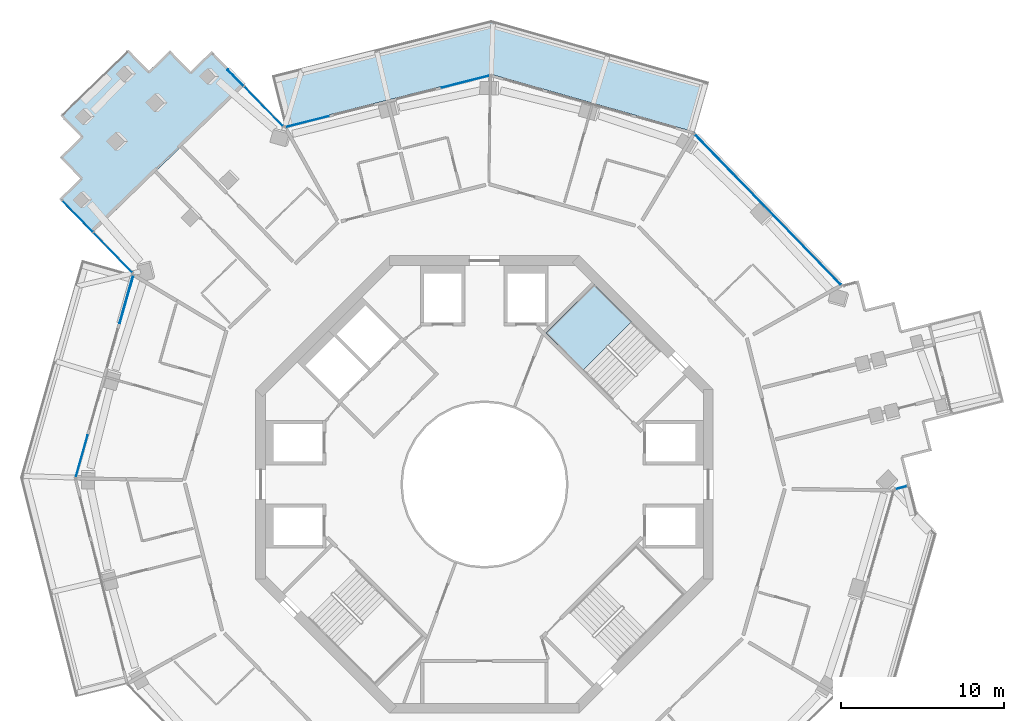
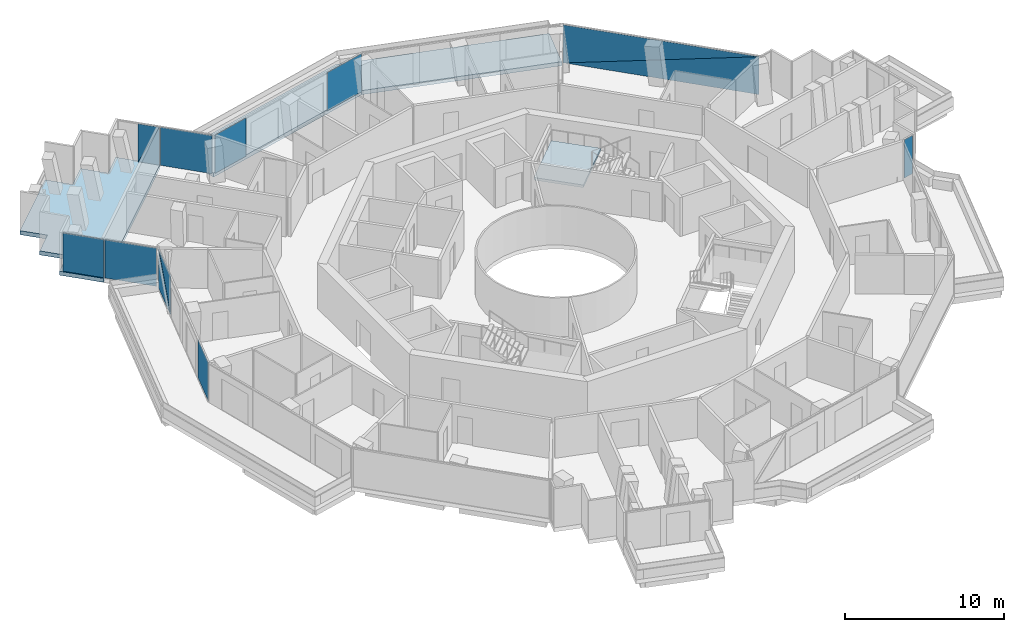
# One storey, part 14 of 24: 13 plates, 3 slabs, 7 elements without a shape of their own.
"""IFC4 building model written with IfcOpenShell, lengths in metres."""

from ifc_helpers import new_model, si_unit, direction, frame, origin, origin_2d, place, context, subcontext, project, spatial, polyline, rectangle, outline, extrude, material, layer, layer_set, type_object, element, aggregate, save


model = new_model("IFC4")

# Units and contexts
model_context = context("Model", 3, precision=1e-05, world=origin(), true_north=direction((0.0, 1.0)))
body_context = subcontext(model_context, "Body", "Model", "MODEL_VIEW")
ifc_project = project(units=[si_unit("LENGTHUNIT", "METRE"), si_unit("AREAUNIT", "SQUARE_METRE"), si_unit("VOLUMEUNIT", "CUBIC_METRE"), si_unit("PLANEANGLEUNIT", "RADIAN"), si_unit("MASSUNIT", "GRAM", prefix="KILO")], contexts=[model_context])

# Site, building, storey
site_placement = place(None, origin())
site = spatial("IfcSite", under=ifc_project, at=site_placement, CompositionType="ELEMENT")
building_placement = place(site_placement, origin())
building = spatial("IfcBuilding", under=site, at=building_placement, Name="Verdalira Terraces Hotel", CompositionType="ELEMENT")
storey_placement = place(building_placement, frame((0.0, 0.0, 212.5)))
storey = spatial("IfcBuildingStorey", under=building, at=storey_placement, Name="L52", CompositionType="ELEMENT", Elevation=212.5)

# Slab
ifc_material_1 = material(Name="Precast concrete C40/50", Category="concrete")
ifc_layer_1 = layer(ifc_material_1, 0.31005859375)
ifc_layer_set_1 = layer_set([ifc_layer_1], Name="Balcony deck 310")
slab_type_1 = type_object("IfcSlabType", Name="Balcony deck 310", PredefinedType="FLOOR", material=ifc_layer_set_1)
slab_1_placement = place(storey_placement, frame((0.0, 0.0, -0.310059)))
element("IfcSlab", 1, at=slab_1_placement, inside=storey, type_object=slab_type_1, Name="Balcony deck", PredefinedType="FLOOR", context=body_context, shape_type="SweptSolid", body=[
    extrude(outline(polyline([(-13.019531, 25.033936), (-12.236816, 21.931152), (0.368164, 25.111328), (12.874512, 21.562988), (13.748047, 24.641602), (0.416748, 28.423828), (-13.019531, 25.033936)])), origin(), (0.0, 0.0, 1.0), 0.310059),
])

# Curtain wall, plates
ifc_material_2 = material(Name="Clear glass", Category="glass")
ifc_layer_2 = layer(ifc_material_2, 0.14990234375)
ifc_layer_set_2 = layer_set([ifc_layer_2], Name="CW1 curtain wall")
curtain_wall_type_1 = type_object("IfcCurtainWallType", Name="CW1 curtain wall", PredefinedType="NOTDEFINED", material=ifc_layer_set_2)
curtain_wall_1_placement = place(storey_placement, origin())
curtain_wall_1 = element("IfcCurtainWall", 2, at=curtain_wall_1_placement, inside=storey, type_object=curtain_wall_type_1, Name="CW1 curtain wall L52 edge 11", PredefinedType="NOTDEFINED")
ifc_material_3 = material(Name="Clear glass", Category="glass")
ifc_layer_3 = layer(ifc_material_3, 0.028076171875)
ifc_layer_set_3 = layer_set([ifc_layer_3], Name="CW1 glass unit 28")
plate_type_1 = type_object("IfcPlateType", Name="CW1 glass unit 28", PredefinedType="CURTAIN_PANEL", material=ifc_layer_set_3)
plate_1_placement = place(storey_placement, frame((-21.908691, 11.330078, 1.467529), z_axis=(-0.962027672, 0.272951936, 0.0), x_axis=(-0.272951936, -0.962027672, 0.0)))
plate_1 = element("IfcPlate", 3, at=plate_1_placement, type_object=plate_type_1, Name="CW1 glass unit", PredefinedType="CURTAIN_PANEL", context=body_context, shape_type="SweptSolid", body=[
    extrude(outline(polyline([(-1.52002, -1.467529), (1.52002, -1.467529), (-1.52002, 1.467529), (-1.52002, -1.467529)])), origin(), (0.0, 0.0, 1.0), 0.028076),
])
plate_2_placement = place(storey_placement, frame((-21.880615, 11.322266, 1.467529), z_axis=(-0.962027672, 0.272951936, 0.0), x_axis=(-0.272951936, -0.962027672, 0.0)))
plate_2 = element("IfcPlate", 4, at=plate_2_placement, type_object=plate_type_1, Name="CW1 glass unit", PredefinedType="CURTAIN_PANEL", context=body_context, shape_type="SweptSolid", body=[
    extrude(outline(polyline([(1.52002, -1.467529), (1.52002, 1.467529), (-1.52002, 1.467529), (1.52002, -1.467529)])), origin(), (0.0, 0.0, 1.0), 0.028076),
])
plate_3_placement = place(storey_placement, frame((-24.648926, 1.723633, 0.0), z_axis=(0.0, 0.0, 1.0), x_axis=(-0.272951936, -0.962027672, 0.0)))
plate_3 = element("IfcPlate", 5, at=plate_3_placement, type_object=plate_type_1, Name="CW1 glass unit", PredefinedType="CURTAIN_PANEL", context=body_context, shape_type="SweptSolid", body=[
    extrude(rectangle(XDim=2.660156, YDim=0.028076, at=origin_2d()), origin(), (0.0, 0.0, 1.0), 2.935059),
])
aggregate(curtain_wall_1, [plate_1, plate_2, plate_3])

curtain_wall_2_placement = place(storey_placement, origin())
curtain_wall_2 = element("IfcCurtainWall", 6, at=curtain_wall_2_placement, inside=storey, type_object=curtain_wall_type_1, Name="CW1 curtain wall L52 edge 39", PredefinedType="NOTDEFINED")
plate_4_placement = place(storey_placement, frame((17.353027, 16.823486, 1.467529), z_axis=(0.717397146, 0.696664435, 0.0), x_axis=(-0.696664435, 0.717397146, 0.0)))
plate_4 = element("IfcPlate", 7, at=plate_4_placement, type_object=plate_type_1, Name="CW1 glass unit", PredefinedType="CURTAIN_PANEL", context=body_context, shape_type="SweptSolid", body=[
    extrude(outline(polyline([(-6.419922, -1.467529), (6.419922, -1.467529), (-6.419922, 1.467529), (-6.419922, -1.467529)])), origin(), (0.0, 0.0, 1.0), 0.028076),
])
plate_5_placement = place(storey_placement, frame((17.332031, 16.803223, 1.467529), z_axis=(0.717397146, 0.696664435, 0.0), x_axis=(-0.696664435, 0.717397146, 0.0)))
plate_5 = element("IfcPlate", 8, at=plate_5_placement, type_object=plate_type_1, Name="CW1 glass unit", PredefinedType="CURTAIN_PANEL", context=body_context, shape_type="SweptSolid", body=[
    extrude(outline(polyline([(6.419922, -1.467529), (6.419922, 1.467529), (-6.419922, 1.467529), (6.419922, -1.467529)])), origin(), (0.0, 0.0, 1.0), 0.028076),
])
aggregate(curtain_wall_2, [plate_4, plate_5])

curtain_wall_3_placement = place(storey_placement, origin())
curtain_wall_3 = element("IfcCurtainWall", 9, at=curtain_wall_3_placement, inside=storey, type_object=curtain_wall_type_1, Name="CW1 curtain wall L52 edge 41", PredefinedType="NOTDEFINED")
plate_6_placement = place(storey_placement, frame((-1.165039, 24.647217, 0.0), z_axis=(0.0, 0.0, 1.0), x_axis=(-0.96961637, -0.244630526, 0.0)))
plate_6 = element("IfcPlate", 10, at=plate_6_placement, type_object=plate_type_1, Name="CW1 glass unit", PredefinedType="CURTAIN_PANEL", context=body_context, shape_type="SweptSolid", body=[
    extrude(rectangle(XDim=2.999756, YDim=0.028076, at=origin_2d()), origin(), (0.0, 0.0, 1.0), 2.935059),
])
plate_7_placement = place(storey_placement, frame((-10.851318, 22.203369, 0.0), z_axis=(0.0, 0.0, 1.0), x_axis=(-0.96961637, -0.244630526, 0.0)))
plate_7 = element("IfcPlate", 11, at=plate_7_placement, type_object=plate_type_1, Name="CW1 glass unit", PredefinedType="CURTAIN_PANEL", context=body_context, shape_type="SweptSolid", body=[
    extrude(rectangle(XDim=2.700195, YDim=0.028076, at=origin_2d()), origin(), (0.0, 0.0, 1.0), 2.935059),
])
aggregate(curtain_wall_3, [plate_6, plate_7])

ifc_material_4 = material(Name="Clear glass", Category="glass")
ifc_layer_4 = layer(ifc_material_4, 0.14990234375)
ifc_layer_set_4 = layer_set([ifc_layer_4], Name="CW2 curtain wall")
curtain_wall_type_2 = type_object("IfcCurtainWallType", Name="CW2 curtain wall", PredefinedType="NOTDEFINED", material=ifc_layer_set_4)
curtain_wall_4_placement = place(storey_placement, origin())
curtain_wall_4 = element("IfcCurtainWall", 12, at=curtain_wall_4_placement, inside=storey, type_object=curtain_wall_type_2, Name="CW2 curtain wall L52 edge 0", PredefinedType="NOTDEFINED")
ifc_material_5 = material(Name="Clear glass", Category="glass")
ifc_layer_5 = layer(ifc_material_5, 0.031982421875)
ifc_layer_set_5 = layer_set([ifc_layer_5], Name="CW2 glass unit 32")
plate_type_2 = type_object("IfcPlateType", Name="CW2 glass unit 32", PredefinedType="CURTAIN_PANEL", material=ifc_layer_set_5)
plate_8_placement = place(storey_placement, frame((-13.515381, 23.139893, 0.0), z_axis=(0.0, 0.0, 1.0), x_axis=(-0.696664435, 0.717397146, 0.0)))
plate_8 = element("IfcPlate", 13, at=plate_8_placement, type_object=plate_type_2, Name="CW2 glass unit", PredefinedType="CURTAIN_PANEL", context=body_context, shape_type="SweptSolid", body=[
    extrude(rectangle(XDim=3.375732, YDim=0.031982, at=origin_2d()), origin(), (0.0, 0.0, 1.0), 2.935059),
])
plate_9_placement = place(storey_placement, frame((-15.233887, 24.886719, 1.467529), z_axis=(0.717397146, 0.696664435, 0.0), x_axis=(-0.696664435, 0.717397146, 0.0)))
plate_9 = element("IfcPlate", 14, at=plate_9_placement, type_object=plate_type_2, Name="CW2 glass unit", PredefinedType="CURTAIN_PANEL", context=body_context, shape_type="SweptSolid", body=[
    extrude(outline(polyline([(-0.692383, -1.467529), (0.692383, -1.467529), (-0.692383, 1.467529), (-0.692383, -1.467529)])), origin(), (0.0, 0.0, 1.0), 0.031982),
])
plate_10_placement = place(storey_placement, frame((-15.257568, 24.86377, 1.467529), z_axis=(0.717397146, 0.696664435, 0.0), x_axis=(-0.696664435, 0.717397146, 0.0)))
plate_10 = element("IfcPlate", 15, at=plate_10_placement, type_object=plate_type_2, Name="CW2 glass unit", PredefinedType="CURTAIN_PANEL", context=body_context, shape_type="SweptSolid", body=[
    extrude(outline(polyline([(0.692383, -1.467529), (0.692383, 1.467529), (-0.692383, 1.467529), (0.692383, -1.467529)])), origin(), (0.0, 0.0, 1.0), 0.031982),
])
aggregate(curtain_wall_4, [plate_8, plate_9, plate_10])

curtain_wall_5_placement = place(storey_placement, origin())
curtain_wall_5 = element("IfcCurtainWall", 16, at=curtain_wall_5_placement, inside=storey, type_object=curtain_wall_type_2, Name="CW2 curtain wall L52 edge 10", PredefinedType="NOTDEFINED")
plate_11_placement = place(storey_placement, frame((-24.886719, 16.404785, 0.0), z_axis=(0.0, 0.0, 1.0), x_axis=(0.696664435, -0.717397146, 0.0)))
plate_11 = element("IfcPlate", 17, at=plate_11_placement, type_object=plate_type_2, Name="CW2 glass unit", PredefinedType="CURTAIN_PANEL", context=body_context, shape_type="SweptSolid", body=[
    extrude(rectangle(XDim=2.665039, YDim=0.031982, at=origin_2d()), origin(), (0.0, 0.0, 1.0), 2.935059),
])
plate_12_placement = place(storey_placement, frame((-22.733887, 14.187988, 0.0), z_axis=(0.0, 0.0, 1.0), x_axis=(0.696664435, -0.717397146, 0.0)))
plate_12 = element("IfcPlate", 18, at=plate_12_placement, type_object=plate_type_2, Name="CW2 glass unit", PredefinedType="CURTAIN_PANEL", context=body_context, shape_type="SweptSolid", body=[
    extrude(rectangle(XDim=3.375732, YDim=0.031982, at=origin_2d()), origin(), (0.0, 0.0, 1.0), 2.935059),
])
aggregate(curtain_wall_5, [plate_11, plate_12])

# Curtain wall, plate
curtain_wall_6_placement = place(storey_placement, origin())
curtain_wall_6 = element("IfcCurtainWall", 19, at=curtain_wall_6_placement, inside=storey, type_object=curtain_wall_type_2, Name="CW2 curtain wall L52 edge 28", PredefinedType="NOTDEFINED")
plate_13_placement = place(storey_placement, frame((25.505127, -0.191406, 0.0), z_axis=(0.0, 0.0, 1.0), x_axis=(0.96961637, 0.244630526, 0.0)))
plate_13 = element("IfcPlate", 20, at=plate_13_placement, type_object=plate_type_2, Name="CW2 glass unit", PredefinedType="CURTAIN_PANEL", context=body_context, shape_type="SweptSolid", body=[
    extrude(rectangle(XDim=0.709961, YDim=0.031982, at=origin_2d()), origin(), (0.0, 0.0, 1.0), 2.935059),
])
aggregate(curtain_wall_6, [plate_13])

# Stair, slab
ifc_material_6 = material(Name="Concrete C40", Category="concrete")
stair_type = type_object("IfcStairType", Name="Core stair 20 risers 2050 mm wide", PredefinedType="HALF_TURN_STAIR", material=ifc_material_6)
stair_placement = place(storey_placement, origin())
stair = element("IfcStair", 21, at=stair_placement, inside=storey, type_object=stair_type, Name="L52 Exit stair ST1", PredefinedType="HALF_TURN_STAIR")
ifc_material_7 = material(Name="Concrete C40", Category="concrete")
ifc_layer_6 = layer(ifc_material_7, 0.199951171875)
ifc_layer_set_6 = layer_set([ifc_layer_6], Name="Core stair landing 200 mm")
slab_type_2 = type_object("IfcSlabType", Name="Core stair landing 200 mm", PredefinedType="LANDING", material=ifc_layer_set_6)
slab_2_placement = place(storey_placement, frame((0.0, 0.0, 1.550049)))
slab_2 = element("IfcSlab", 22, at=slab_2_placement, type_object=slab_type_2, Name="ST1 landing 1", PredefinedType="LANDING", context=body_context, shape_type="SweptSolid", body=[
    extrude(outline(polyline([(9.001709, 9.94873), (6.717529, 12.23291), (3.747559, 9.263184), (6.031982, 6.97876), (9.001709, 9.94873)])), origin(), (0.0, 0.0, 1.0), 0.199951),
])
aggregate(stair, [slab_2])

# Slab
ifc_material_8 = material(Name="Concrete C40", Category="concrete")
ifc_layer_7 = layer(ifc_material_8, 0.31005859375)
ifc_layer_set_7 = layer_set([ifc_layer_7], Name="Loggia floor deck 310 C40")
slab_type_3 = type_object("IfcSlabType", Name="Loggia floor deck 310 C40", PredefinedType="FLOOR", material=ifc_layer_set_7)
slab_3_placement = place(storey_placement, frame((0.0, 0.0, -0.310059)))
element("IfcSlab", 23, at=slab_3_placement, inside=storey, type_object=slab_type_3, Name="Loggia deck L52", PredefinedType="FLOOR", context=body_context, shape_type="SweptSolid", body=[
    extrude(outline(polyline([(-26.022217, 17.466309), (-24.001709, 15.385986), (-14.675781, 24.442627), (-16.696045, 26.522949), (-17.987305, 25.269043), (-19.241211, 26.560303), (-20.532715, 25.306396), (-21.786621, 26.597656), (-25.94751, 22.556885), (-24.693604, 21.265625), (-25.984863, 20.011719), (-24.730713, 18.720459), (-26.022217, 17.466309)])), origin(), (0.0, 0.0, 1.0), 0.310059),
])

save(model, "model.ifc")
